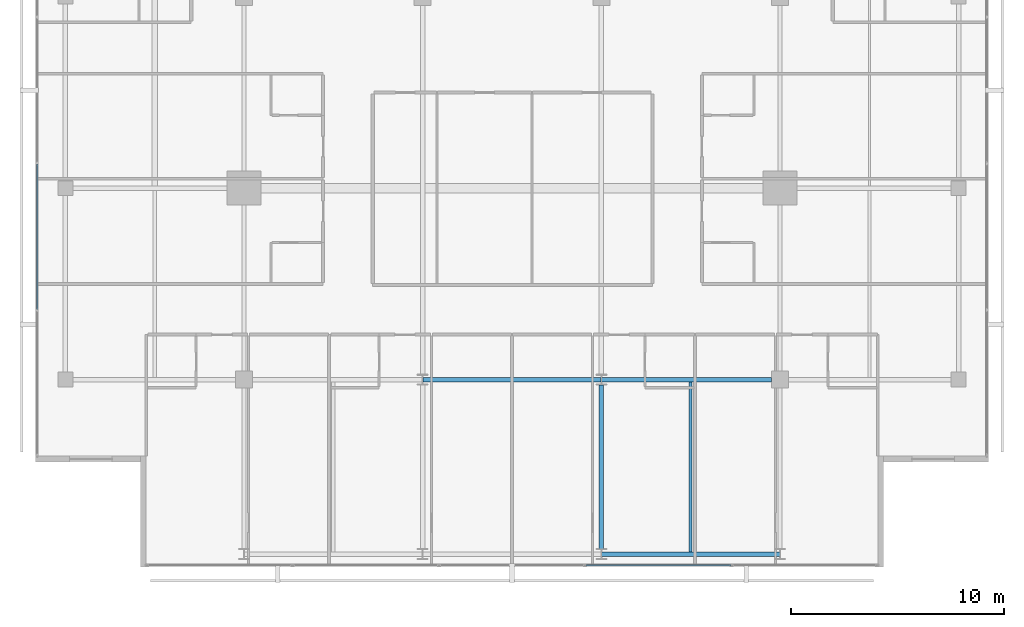
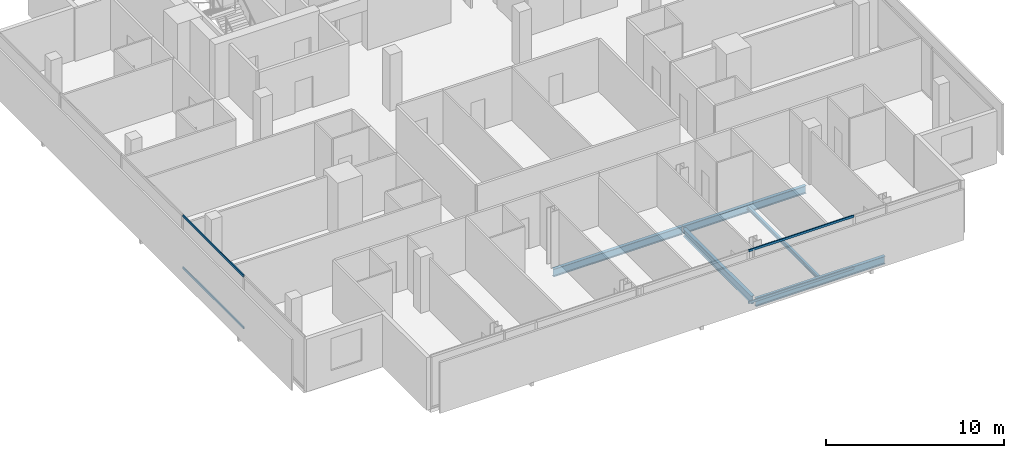
# One storey, part 7 of 25: 5 beams, 4 members, 2 elements without a shape of their own.
"""IFC4 building model written with IfcOpenShell, lengths in metres."""

from ifc_helpers import new_model, si_unit, direction, frame, origin, origin_2d, place, context, subcontext, project, spatial, hollow_rectangle, i_section, extrude, material, layer, layer_set, material_profile, profile_set, type_object, element, aggregate, save


model = new_model("IFC4")

# Units and contexts
model_context = context("Model", 3, precision=1e-05, world=origin(), true_north=direction((0.0, 1.0)))
body_context = subcontext(model_context, "Body", "Model", "MODEL_VIEW")
ifc_project = project(units=[si_unit("LENGTHUNIT", "METRE"), si_unit("AREAUNIT", "SQUARE_METRE"), si_unit("VOLUMEUNIT", "CUBIC_METRE"), si_unit("PLANEANGLEUNIT", "RADIAN"), si_unit("MASSUNIT", "GRAM", prefix="KILO")], contexts=[model_context])

# Site, building, storey
site_placement = place(None, origin())
site = spatial("IfcSite", under=ifc_project, at=site_placement, CompositionType="ELEMENT")
building_placement = place(site_placement, origin())
building = spatial("IfcBuilding", under=site, at=building_placement, Name="Maruvema Waterfront Hotel and Observation Tower", CompositionType="ELEMENT")
storey_placement = place(building_placement, frame((0.0, 0.0, 250.949951171875)))
storey = spatial("IfcBuildingStorey", under=building, at=storey_placement, Name="L61", CompositionType="ELEMENT", Elevation=250.949951171875)

# Curtain wall, members
ifc_material_1 = material(Name="Anodised bronze aluminium and solar-control low-E IGU", Category="aluminium")
ifc_layer = layer(ifc_material_1, 0.159912109375, Name="Zone 3 Champagne Inner Thermal Curtain Wall System CW-04")
ifc_layer_set = layer_set([ifc_layer], Name="Anodised bronze aluminium and solar-control low-E IGU")
curtain_wall_type = type_object("IfcCurtainWallType", Name="Zone 3 Champagne Inner Thermal Curtain Wall System CW-04", PredefinedType="USERDEFINED", material=ifc_layer_set)
curtain_wall_1_placement = place(storey_placement, origin())
curtain_wall_1 = element("IfcCurtainWall", 1, at=curtain_wall_1_placement, inside=storey, type_object=curtain_wall_type, Name="L61 Curtain Wall CW-L61-S", ObjectType="UNITISED CURTAIN WALL", PredefinedType="USERDEFINED")
ifc_material_2 = material(Name="Anodised architectural bronze aluminium", Category="aluminium")
ifc_material_profile_1 = material_profile(ifc_material_2, hollow_rectangle(XDim=0.070068359375, YDim=0.14990234375, WallThickness=0.00390625, at=origin_2d()), Name="ALU-T70x150")
ifc_profile_set_1 = profile_set([ifc_material_profile_1], Name="Anodised architectural bronze aluminium")
member_type = type_object("IfcMemberType", Name="Curtain Wall Horizontal Transom ALU-T70x150", PredefinedType="USERDEFINED", material=ifc_profile_set_1)
member_1_placement = place(storey_placement, frame((41.27001953125, 9.280029296875, 0.030029296875), z_axis=(1.0, 0.0, 0.0), x_axis=(0.0, 1.0, 0.0)))
member_1 = element("IfcMember", 2, at=member_1_placement, type_object=member_type, Name="CW-04 transom 4.1", ObjectType="TRANSOM", PredefinedType="USERDEFINED", context=body_context, shape_type="SweptSolid", body=[
    extrude(hollow_rectangle(XDim=0.070068359375, YDim=0.14990234375, WallThickness=0.00390625, at=origin_2d()), origin(), (0.0, 0.0, 1.0), 6.820068359375),
])
member_2_placement = place(storey_placement, frame((41.27001953125, 9.280029296875, 3.580078125), z_axis=(1.0, 0.0, 0.0), x_axis=(0.0, 1.0, 0.0)))
member_2 = element("IfcMember", 3, at=member_2_placement, type_object=member_type, Name="CW-04 transom 4.2", ObjectType="TRANSOM", PredefinedType="USERDEFINED", context=body_context, shape_type="SweptSolid", body=[
    extrude(hollow_rectangle(XDim=0.070068359375, YDim=0.14990234375, WallThickness=0.00390625, at=origin_2d()), origin(), (0.0, 0.0, 1.0), 6.820068359375),
])
aggregate(curtain_wall_1, [member_1, member_2])

curtain_wall_2_placement = place(storey_placement, origin())
curtain_wall_2 = element("IfcCurtainWall", 4, at=curtain_wall_2_placement, inside=storey, type_object=curtain_wall_type, Name="L61 Curtain Wall CW-L61-W", ObjectType="UNITISED CURTAIN WALL", PredefinedType="USERDEFINED")
member_3_placement = place(storey_placement, frame((15.47998046875, 28.1298828125, 0.030029296875), z_axis=(0.0, -1.0, 0.0), x_axis=(1.0, 0.0, 0.0)))
member_3 = element("IfcMember", 5, at=member_3_placement, type_object=member_type, Name="CW-04 transom 4.1", ObjectType="TRANSOM", PredefinedType="USERDEFINED", context=body_context, shape_type="SweptSolid", body=[
    extrude(hollow_rectangle(XDim=0.070068359375, YDim=0.14990234375, WallThickness=0.00390625, at=origin_2d()), origin(), (0.0, 0.0, 1.0), 6.81982421875),
])
member_4_placement = place(storey_placement, frame((15.47998046875, 28.1298828125, 3.580078125), z_axis=(0.0, -1.0, 0.0), x_axis=(1.0, 0.0, 0.0)))
member_4 = element("IfcMember", 6, at=member_4_placement, type_object=member_type, Name="CW-04 transom 4.2", ObjectType="TRANSOM", PredefinedType="USERDEFINED", context=body_context, shape_type="SweptSolid", body=[
    extrude(hollow_rectangle(XDim=0.070068359375, YDim=0.14990234375, WallThickness=0.00390625, at=origin_2d()), origin(), (0.0, 0.0, 1.0), 6.81982421875),
])
aggregate(curtain_wall_2, [member_3, member_4])

# Beams
ifc_material_3 = material(Name="Steel ASTM A572 Grade 50", Category="steel")
ifc_material_profile_2 = material_profile(ifc_material_3, i_section(OverallWidth=0.208984375, OverallDepth=0.532958984375, WebThickness=0.01025390625, FlangeThickness=0.015625, FilletRadius=0.014892578125, at=origin_2d()), Name="W530x92.0")
ifc_profile_set_2 = profile_set([ifc_material_profile_2], Name="Steel ASTM A572 Grade 50")
beam_type_1 = type_object("IfcBeamType", Name="Primary Floor Girder W530x92.0", PredefinedType="BEAM", material=ifc_profile_set_2)
for number, where, z_axis, x_axis, name in (
    (7, (42.010986328125, 9.800048828125, -0.50634765625), (1.0, 0.0, 0.0), (0.0, 1.0, 0.0), "L61 Floor Girder EW-03"),
    (8, (33.611083984375, 18.0, -0.50634765625), (1.0, 0.0, 0.0), (0.0, 1.0, 0.0), "L61 Floor Girder EW-06"),
):
    element("IfcBeam", number, at=place(storey_placement, frame(where, z_axis=z_axis, x_axis=x_axis)), inside=storey, type_object=beam_type_1, Name=name, PredefinedType="BEAM", context=body_context, shape_type="SweptSolid", body=[
        extrude(i_section(OverallWidth=0.208984375, OverallDepth=0.532958984375, WebThickness=0.01025390625, FlangeThickness=0.015625, FilletRadius=0.014892578125, at=origin_2d()), origin(), (0.0, 0.0, 1.0), 8.3779296875),
    ])
beam_1_placement = place(storey_placement, frame((42.010986328125, 18.0, -0.50634765625), z_axis=(1.0, 0.0, 0.0), x_axis=(0.0, 1.0, 0.0)))
element("IfcBeam", 9, at=beam_1_placement, inside=storey, type_object=beam_type_1, Name="L61 Floor Girder EW-07", PredefinedType="BEAM", context=body_context, shape_type="SweptSolid", body=[
    extrude(i_section(OverallWidth=0.208984375, OverallDepth=0.532958984375, WebThickness=0.01025390625, FlangeThickness=0.015625, FilletRadius=0.014892578125, at=origin_2d()), origin(), (0.0, 0.0, 1.0), 7.989013671875),
])
beam_2_placement = place(storey_placement, frame((42.0, 10.050048828125, -0.50634765625), z_axis=(0.0, 1.0, 0.0), x_axis=(-1.0, 0.0, 0.0)))
element("IfcBeam", 10, at=beam_2_placement, inside=storey, type_object=beam_type_1, Name="L61 Floor Girder NS-10", PredefinedType="BEAM", context=body_context, shape_type="SweptSolid", body=[
    extrude(i_section(OverallWidth=0.208984375, OverallDepth=0.532958984375, WebThickness=0.01025390625, FlangeThickness=0.015625, FilletRadius=0.014892578125, at=origin_2d()), origin(), (0.0, 0.0, 1.0), 7.699951171875),
])
ifc_material_4 = material(Name="Steel ASTM A572 Grade 50", Category="steel")
ifc_material_profile_3 = material_profile(ifc_material_4, i_section(OverallWidth=0.14599609375, OverallDepth=0.258056640625, WebThickness=0.006103515625, FlangeThickness=0.009033203125, FilletRadius=0.012939453125, at=origin_2d()), Name="W250x32.7")
ifc_profile_set_3 = profile_set([ifc_material_profile_3], Name="Steel ASTM A572 Grade 50")
beam_type_2 = type_object("IfcBeamType", Name="Secondary Floor Joist W250x32.7", PredefinedType="JOIST", material=ifc_profile_set_3)
beam_3_placement = place(storey_placement, frame((46.199951171875, 9.904541015625, -0.368896484375), z_axis=(0.0, 1.0, 0.0), x_axis=(-1.0, 0.0, 0.0)))
element("IfcBeam", 11, at=beam_3_placement, inside=storey, type_object=beam_type_2, Name="L61 Secondary Floor Joist JS-06", PredefinedType="JOIST", context=body_context, shape_type="SweptSolid", body=[
    extrude(i_section(OverallWidth=0.14599609375, OverallDepth=0.258056640625, WebThickness=0.006103515625, FlangeThickness=0.009033203125, FilletRadius=0.012939453125, at=origin_2d()), origin(), (0.0, 0.0, 1.0), 7.990966796875),
])

save(model, "model.ifc")
